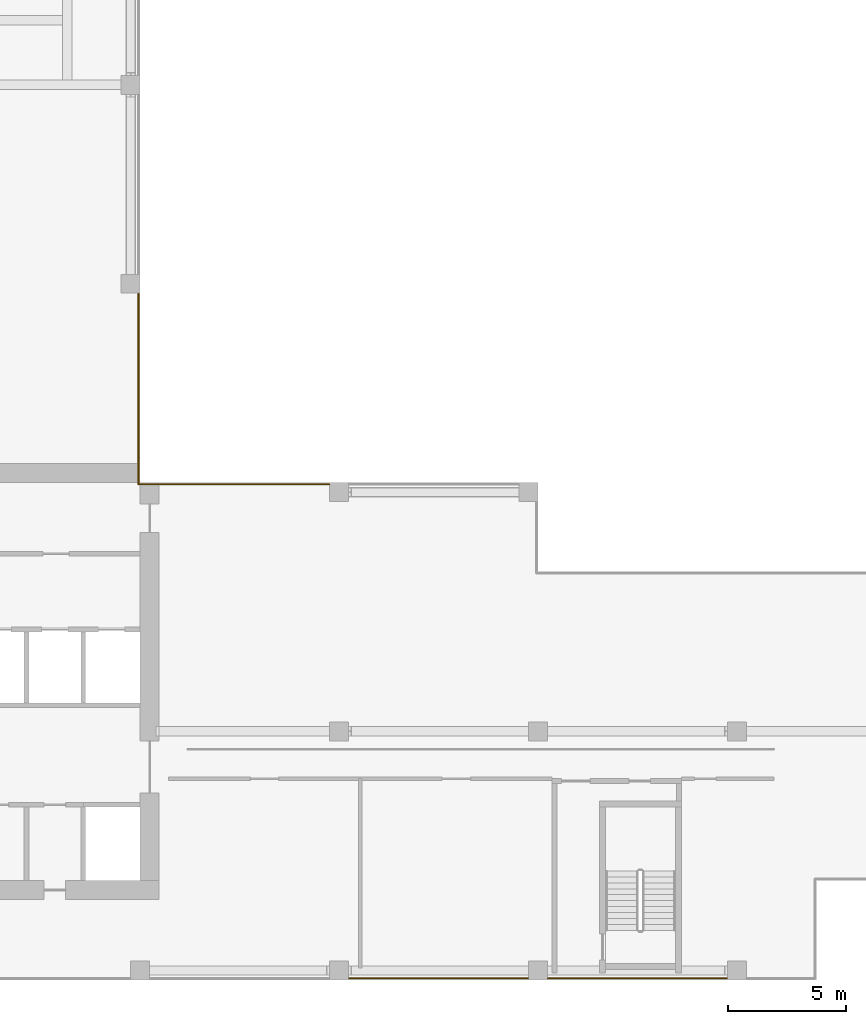
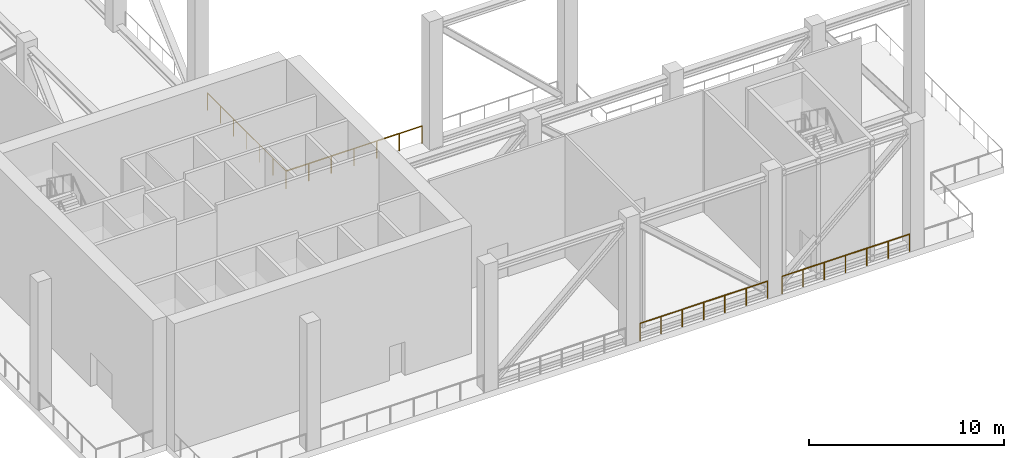
# One storey, part 6 of 9: 4 railings.
"""IFC4 building model written with IfcOpenShell, lengths in metres."""

from ifc_helpers import new_model, si_unit, direction, frame, origin, origin_2d, place, context, subcontext, project, spatial, circle, extrude, source, transform, mapped, material, type_object, element, save


model = new_model("IFC4")

# Units and contexts
model_context = context("Model", 3, precision=1e-05, world=origin(), true_north=direction((0.0, 1.0)))
body_context = subcontext(model_context, "Body", "Model", "MODEL_VIEW")
ifc_project = project(units=[si_unit("LENGTHUNIT", "METRE"), si_unit("AREAUNIT", "SQUARE_METRE"), si_unit("VOLUMEUNIT", "CUBIC_METRE"), si_unit("PLANEANGLEUNIT", "RADIAN"), si_unit("MASSUNIT", "GRAM", prefix="KILO")], contexts=[model_context])

# Site, building, storey
site_placement = place(None, origin())
site = spatial("IfcSite", under=ifc_project, at=site_placement, CompositionType="ELEMENT")
building_placement = place(site_placement, origin())
building = spatial("IfcBuilding", under=site, at=building_placement, Name="Aurelian Terraces", CompositionType="ELEMENT")
storey_placement = place(building_placement, frame((0.0, 0.0, 269.0)))
storey = spatial("IfcBuildingStorey", under=building, at=storey_placement, Name="L62", CompositionType="ELEMENT", Elevation=269.0)

# Railings
ifc_material = material(Name="Anodised aluminium", Category="aluminium")
railing_type = type_object("IfcRailingType", Name="GUARD-1100", PredefinedType="GUARDRAIL", material=ifc_material)
railing_1_placement = place(storey_placement, frame((45.78, 0.07, 0.0)))
element("IfcRailing", 1, at=railing_1_placement, inside=storey, type_object=railing_type, Name="Wind floor guard L62 4", PredefinedType="GUARDRAIL", context=body_context, shape_type="SweptSolid", body=[
    extrude(circle(Radius=0.024, at=origin_2d()), frame((0.0, 0.0, 1.076), z_axis=(-1.0, 0.0, 0.0), x_axis=(0.0, -1.0, 0.0)), (0.0, 0.0, 1.0), 7.56),
    extrude(circle(Radius=0.021, at=origin_2d()), origin(), (0.0, 0.0, 1.0), 1.052),
    extrude(circle(Radius=0.021, at=origin_2d()), frame((-1.26, 0.0, 0.0)), (0.0, 0.0, 1.0), 1.052),
    extrude(circle(Radius=0.021, at=origin_2d()), frame((-2.52, 0.0, 0.0)), (0.0, 0.0, 1.0), 1.052),
    extrude(circle(Radius=0.021, at=origin_2d()), frame((-3.78, 0.0, 0.0)), (0.0, 0.0, 1.0), 1.052),
    extrude(circle(Radius=0.021, at=origin_2d()), frame((-5.04, 0.0, 0.0)), (0.0, 0.0, 1.0), 1.052),
    extrude(circle(Radius=0.021, at=origin_2d()), frame((-6.3, 0.0, 0.0)), (0.0, 0.0, 1.0), 1.052),
    extrude(circle(Radius=0.021, at=origin_2d()), frame((-7.56, 0.0, 0.0)), (0.0, 0.0, 1.0), 1.052),
])
railing_2_placement = place(storey_placement, frame((20.93, 28.98, 0.0)))
element("IfcRailing", 2, at=railing_2_placement, inside=storey, type_object=railing_type, Name="Wind floor guard L62 27", PredefinedType="GUARDRAIL", context=body_context, shape_type="SweptSolid", body=[
    extrude(circle(Radius=0.024, at=origin_2d()), frame((0.0, 0.0, 1.076), z_axis=(0.0, -1.0, 0.0), x_axis=(1.0, 0.0, 0.0)), (0.0, 0.0, 1.0), 8.05),
    extrude(circle(Radius=0.021, at=origin_2d()), origin(), (0.0, 0.0, 1.0), 1.052),
    extrude(circle(Radius=0.021, at=origin_2d()), frame((0.0, -1.3417, 0.0)), (0.0, 0.0, 1.0), 1.052),
    extrude(circle(Radius=0.021, at=origin_2d()), frame((0.0, -2.6833, 0.0)), (0.0, 0.0, 1.0), 1.052),
    extrude(circle(Radius=0.021, at=origin_2d()), frame((0.0, -4.025, 0.0)), (0.0, 0.0, 1.0), 1.052),
    extrude(circle(Radius=0.021, at=origin_2d()), frame((0.0, -5.3667, 0.0)), (0.0, 0.0, 1.0), 1.052),
    extrude(circle(Radius=0.021, at=origin_2d()), frame((0.0, -6.7083, 0.0)), (0.0, 0.0, 1.0), 1.052),
    extrude(circle(Radius=0.021, at=origin_2d()), frame((0.0, -8.05, 0.0)), (0.0, 0.0, 1.0), 1.052),
])
railing_3_placement = place(storey_placement, frame((20.93, 20.93, 0.0)))
element("IfcRailing", 3, at=railing_3_placement, inside=storey, type_object=railing_type, Name="Wind floor guard L62 28", PredefinedType="GUARDRAIL", context=body_context, shape_type="SweptSolid", body=[
    extrude(circle(Radius=0.024, at=origin_2d()), frame((0.0, 0.0, 1.076), z_axis=(1.0, 0.0, 0.0), x_axis=(0.0, 1.0, 0.0)), (0.0, 0.0, 1.0), 8.05),
    extrude(circle(Radius=0.021, at=origin_2d()), origin(), (0.0, 0.0, 1.0), 1.052),
    extrude(circle(Radius=0.021, at=origin_2d()), frame((1.3417, 0.0, 0.0)), (0.0, 0.0, 1.0), 1.052),
    extrude(circle(Radius=0.021, at=origin_2d()), frame((2.6833, 0.0, 0.0)), (0.0, 0.0, 1.0), 1.052),
    extrude(circle(Radius=0.021, at=origin_2d()), frame((4.025, 0.0, 0.0)), (0.0, 0.0, 1.0), 1.052),
    extrude(circle(Radius=0.021, at=origin_2d()), frame((5.3667, 0.0, 0.0)), (0.0, 0.0, 1.0), 1.052),
    extrude(circle(Radius=0.021, at=origin_2d()), frame((6.7083, 0.0, 0.0)), (0.0, 0.0, 1.0), 1.052),
    extrude(circle(Radius=0.021, at=origin_2d()), frame((8.05, 0.0, 0.0)), (0.0, 0.0, 1.0), 1.052),
])
shared_shape = source(origin(), body_context, "Body", "SweptSolid", [
    extrude(circle(Radius=0.024, at=origin_2d()), frame((0.0, 0.0, 1.076), z_axis=(-1.0, 0.0, 0.0), x_axis=(0.0, -1.0, 0.0)), (0.0, 0.0, 1.0), 7.56),
    extrude(circle(Radius=0.021, at=origin_2d()), origin(), (0.0, 0.0, 1.0), 1.052),
    extrude(circle(Radius=0.021, at=origin_2d()), frame((-1.26, 0.0, 0.0)), (0.0, 0.0, 1.0), 1.052),
    extrude(circle(Radius=0.021, at=origin_2d()), frame((-2.52, 0.0, 0.0)), (0.0, 0.0, 1.0), 1.052),
    extrude(circle(Radius=0.021, at=origin_2d()), frame((-3.78, 0.0, 0.0)), (0.0, 0.0, 1.0), 1.052),
    extrude(circle(Radius=0.021, at=origin_2d()), frame((-5.04, 0.0, 0.0)), (0.0, 0.0, 1.0), 1.052),
    extrude(circle(Radius=0.021, at=origin_2d()), frame((-6.3, 0.0, 0.0)), (0.0, 0.0, 1.0), 1.052),
    extrude(circle(Radius=0.021, at=origin_2d()), frame((-7.56, 0.0, 0.0)), (0.0, 0.0, 1.0), 1.052),
])
railing_4_placement = place(storey_placement, frame((37.38, 0.07, 0.0)))
element("IfcRailing", 4, at=railing_4_placement, inside=storey, type_object=railing_type, Name="Wind floor guard L62 5", PredefinedType="GUARDRAIL", context=body_context, shape_type="MappedRepresentation", body=[
    mapped(shared_shape, transform((0.0, 0.0, 0.0), scale=1.0)),
])

save(model, "model.ifc")
